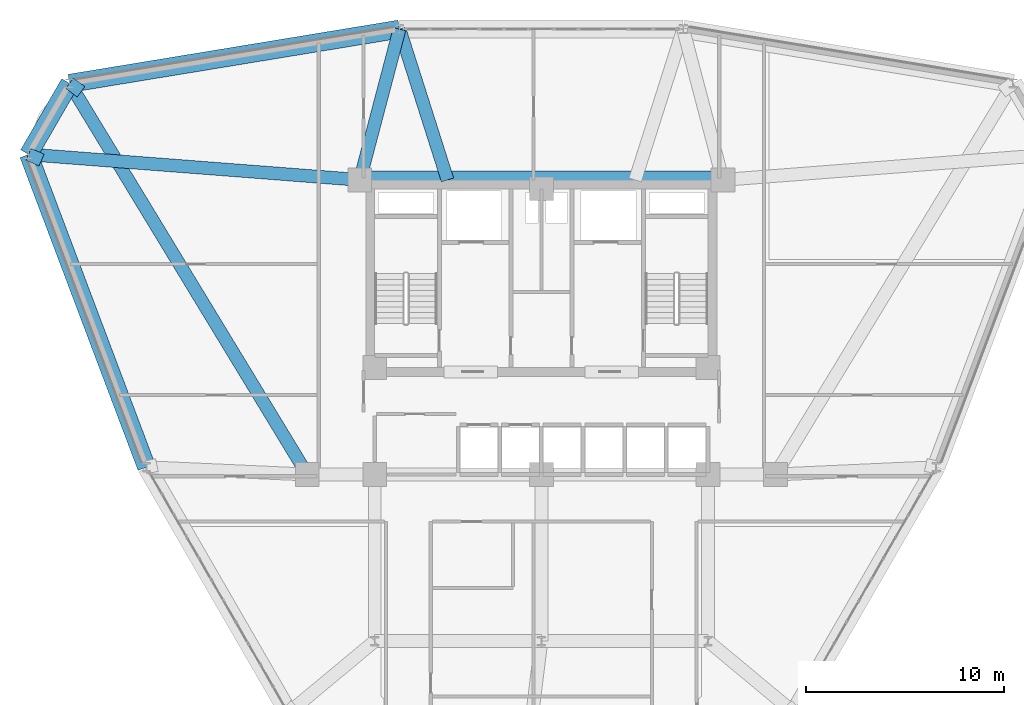
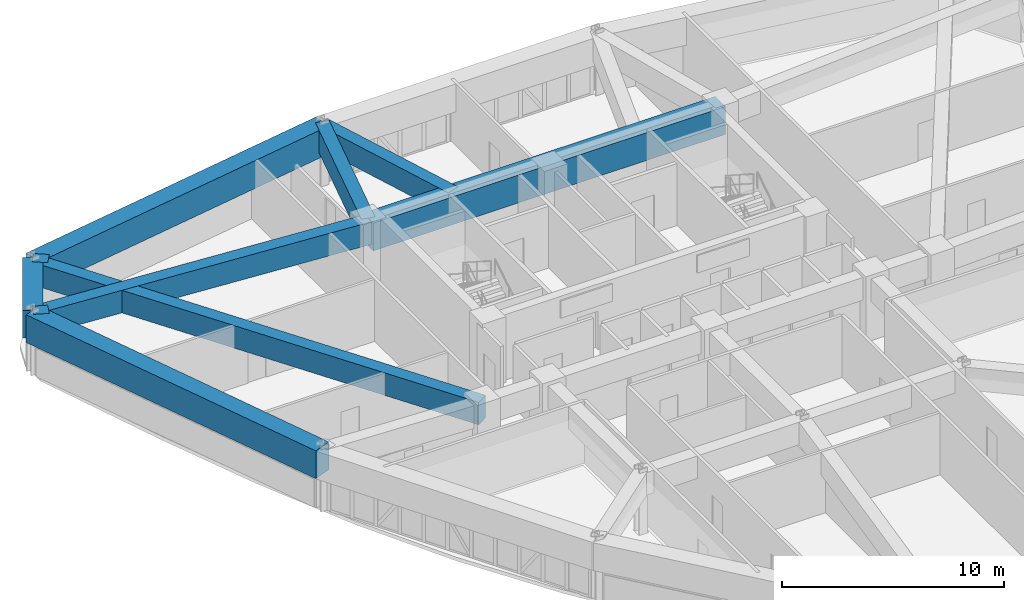
# One storey, part 7 of 16: 10 beams.
"""IFC4 building model written with IfcOpenShell, lengths in metres."""

from ifc_helpers import new_model, si_unit, derived_unit, direction, frame, origin, origin_2d, place, context, subcontext, project, spatial, rectangle, extrude, source, transform, mapped, material, material_profile, profile_set, type_object, element, save


model = new_model("IFC4")

# Units and contexts
model_context = context("Model", 3, precision=1e-05, world=origin(), true_north=direction((0.0, 1.0)))
body_context = subcontext(model_context, "Body", "Model", "MODEL_VIEW")
ifc_project = project(units=[si_unit("LENGTHUNIT", "METRE"), si_unit("AREAUNIT", "SQUARE_METRE"), si_unit("VOLUMEUNIT", "CUBIC_METRE"), si_unit("PLANEANGLEUNIT", "RADIAN"), si_unit("MASSUNIT", "GRAM", prefix="KILO"), derived_unit("THERMALTRANSMITTANCEUNIT", [(si_unit("POWERUNIT", "WATT"), 1), (si_unit("LENGTHUNIT", "METRE"), -2), (si_unit("THERMODYNAMICTEMPERATUREUNIT", "KELVIN"), -1)])], contexts=[model_context])

# Site, building, storey
site_placement = place(None, origin())
site = spatial("IfcSite", under=ifc_project, at=site_placement, CompositionType="ELEMENT")
building_placement = place(site_placement, origin())
building = spatial("IfcBuilding", under=site, at=building_placement, Name="Korsvarv Bourse and Concert Hall", CompositionType="ELEMENT")
storey_placement = place(building_placement, frame((0.0, 0.0, 106.199951171875)))
storey = spatial("IfcBuildingStorey", under=building, at=storey_placement, Name="L26", CompositionType="ELEMENT", Elevation=106.199951171875)

# Beams
ifc_material = material(Name="Concrete C50/60", Category="concrete")
ifc_material_profile_1 = material_profile(ifc_material, rectangle(XDim=0.919921875, YDim=1.530029296875, at=origin_2d()), Name="RC-BM 920x1530")
ifc_profile_set_1 = profile_set([ifc_material_profile_1], Name="Concrete C50/60")
beam_type_1 = type_object("IfcBeamType", Name="BM-TR-154", PredefinedType="BEAM", material=ifc_profile_set_1)
shared_shape_1 = source(origin(), body_context, "Body", "SweptSolid", [
    extrude(rectangle(XDim=0.919921875, YDim=1.530029296875, at=origin_2d()), origin(), (0.0, 0.0, 1.0), 18.2998046875),
])
beam_1_placement = place(storey_placement, frame((26.85009765625, 47.25, 2.635009765625), z_axis=(1.0, 0.0, 0.0), x_axis=(0.0, 1.0, 0.0)))
element("IfcBeam", 1, at=beam_1_placement, inside=storey, type_object=beam_type_1, Name="L26 beam B-TR6", PredefinedType="BEAM", context=body_context, shape_type="MappedRepresentation", body=[
    mapped(shared_shape_1, transform((0.0, 0.0, 0.0), scale=1.0)),
])
shared_shape_2 = source(origin(), body_context, "Body", "SweptSolid", [
    extrude(rectangle(XDim=0.919921875, YDim=1.530029296875, at=origin_2d()), origin(), (0.0, 0.0, 1.0), 4.136962890625),
])
beam_2_placement = place(storey_placement, frame((12.21728515625, 52.119384765625, 2.635009765625), z_axis=(-0.500042586076, -0.866000815306, 0.0), x_axis=(0.866000815306, -0.500042586076, 0.0)))
element("IfcBeam", 2, at=beam_2_placement, inside=storey, type_object=beam_type_1, Name="L26 beam B-TR6", PredefinedType="BEAM", context=body_context, shape_type="MappedRepresentation", body=[
    mapped(shared_shape_2, transform((0.0, 0.0, 0.0), scale=1.0)),
])
shared_shape_3 = source(origin(), body_context, "Body", "SweptSolid", [
    extrude(rectangle(XDim=0.919921875, YDim=1.530029296875, at=origin_2d()), origin(), (0.0, 0.0, 1.0), 16.856201171875),
])
for number, where, z_axis, x_axis, name in (
    (3, (28.8505859375, 54.8515625, 2.635009765625), (-0.986776405202, -0.162087402768, 0.0), (0.162087402768, -0.986776405202, 0.0), "L26 beam B-TR6"),
    (4, (10.148681640625, 48.536865234375, 2.635009765625), (0.353024240889, -0.935614175472, 0.0), (0.935614175472, 0.353024240889, 0.0), "L26 beam B-TR6"),
):
    element("IfcBeam", number, at=place(storey_placement, frame(where, z_axis=z_axis, x_axis=x_axis)), inside=storey, type_object=beam_type_1, Name=name, PredefinedType="BEAM", context=body_context, shape_type="MappedRepresentation", body=[
        mapped(shared_shape_3, transform((0.0, 0.0, 0.0), scale=1.0)),
    ])
ifc_material_profile_2 = material_profile(ifc_material, rectangle(XDim=0.64990234375, YDim=1.239990234375, at=origin_2d()), Name="RC-BM 650x1240")
ifc_profile_set_2 = profile_set([ifc_material_profile_2], Name="Concrete C50/60")
beam_type_2 = type_object("IfcBeamType", Name="BM-TR-SPN", PredefinedType="BEAM", material=ifc_profile_set_2)
shared_shape_4 = source(origin(), body_context, "Body", "SweptSolid", [
    extrude(rectangle(XDim=0.64990234375, YDim=1.239990234375, at=origin_2d()), origin(), (0.0, 0.0, 1.0), 16.7509765625),
])
beam_3_placement = place(storey_placement, frame((10.148681640625, 48.536865234375, 2.780029296875), z_axis=(0.997044703744, -0.076823555869, 0.0), x_axis=(0.076823555869, 0.997044703744, 0.0)))
element("IfcBeam", 5, at=beam_3_placement, inside=storey, type_object=beam_type_2, Name="L26 beam B-TRS", PredefinedType="BEAM", context=body_context, shape_type="MappedRepresentation", body=[
    mapped(shared_shape_4, transform((0.0, 0.0, 0.0), scale=1.0)),
])
shared_shape_5 = source(origin(), body_context, "Body", "SweptSolid", [
    extrude(rectangle(XDim=0.64990234375, YDim=1.239990234375, at=origin_2d()), origin(), (0.0, 0.0, 1.0), 23.07470703125),
])
beam_4_placement = place(storey_placement, frame((12.21728515625, 52.119384765625, 2.780029296875), z_axis=(0.51929864667, -0.854592836131, 0.0), x_axis=(0.854592836131, 0.51929864667, 0.0)))
element("IfcBeam", 6, at=beam_4_placement, inside=storey, type_object=beam_type_2, Name="L26 beam B-TRS", PredefinedType="BEAM", context=body_context, shape_type="MappedRepresentation", body=[
    mapped(shared_shape_5, transform((0.0, 0.0, 0.0), scale=1.0)),
])
shared_shape_6 = source(origin(), body_context, "Body", "SweptSolid", [
    extrude(rectangle(XDim=0.64990234375, YDim=1.239990234375, at=origin_2d()), origin(), (0.0, 0.0, 1.0), 7.8603515625),
])
beam_5_placement = place(storey_placement, frame((28.8505859375, 54.8515625, 2.780029296875), z_axis=(-0.254502472315, -0.96707212326, 0.0), x_axis=(0.96707212326, -0.254502472315, 0.0)))
element("IfcBeam", 7, at=beam_5_placement, inside=storey, type_object=beam_type_2, Name="L26 beam B-TRS", PredefinedType="BEAM", context=body_context, shape_type="MappedRepresentation", body=[
    mapped(shared_shape_6, transform((0.0, 0.0, 0.0), scale=1.0)),
])
shared_shape_7 = source(origin(), body_context, "Body", "SweptSolid", [
    extrude(rectangle(XDim=0.64990234375, YDim=1.239990234375, at=origin_2d()), origin(), (0.0, 0.0, 1.0), 0.7158203125),
])
beam_6_placement = place(storey_placement, frame((10.148681640625, 48.536865234375, 2.780029296875), z_axis=(0.917086321837, -0.398688698485, 0.0), x_axis=(0.398688698485, 0.917086321837, 0.0)))
element("IfcBeam", 8, at=beam_6_placement, inside=storey, type_object=beam_type_2, Name="L26 beam B-TRS", PredefinedType="BEAM", context=body_context, shape_type="MappedRepresentation", body=[
    mapped(shared_shape_7, transform((0.0, 0.0, 0.0), scale=1.0)),
])
shared_shape_8 = source(origin(), body_context, "Body", "SweptSolid", [
    extrude(rectangle(XDim=0.64990234375, YDim=1.239990234375, at=origin_2d()), origin(), (0.0, 0.0, 1.0), 0.715576171875),
])
beam_7_placement = place(storey_placement, frame((12.21728515625, 52.119384765625, 2.780029296875), z_axis=(0.803750540047, -0.594966443906, 0.0), x_axis=(0.594966443906, 0.803750540047, 0.0)))
element("IfcBeam", 9, at=beam_7_placement, inside=storey, type_object=beam_type_2, Name="L26 beam B-TRS", PredefinedType="BEAM", context=body_context, shape_type="MappedRepresentation", body=[
    mapped(shared_shape_8, transform((0.0, 0.0, 0.0), scale=1.0)),
])
shared_shape_9 = source(origin(), body_context, "Body", "SweptSolid", [
    extrude(rectangle(XDim=0.64990234375, YDim=1.239990234375, at=origin_2d()), origin(), (0.0, 0.0, 1.0), 7.9775390625),
])
beam_8_placement = place(storey_placement, frame((28.8505859375, 54.8515625, 2.780029296875), z_axis=(0.303400705923, -0.95286306028, 0.0), x_axis=(0.95286306028, 0.303400705923, 0.0)))
element("IfcBeam", 10, at=beam_8_placement, inside=storey, type_object=beam_type_2, Name="L26 beam B-TRS", PredefinedType="BEAM", context=body_context, shape_type="MappedRepresentation", body=[
    mapped(shared_shape_9, transform((0.0, 0.0, 0.0), scale=1.0)),
])

save(model, "model.ifc")
